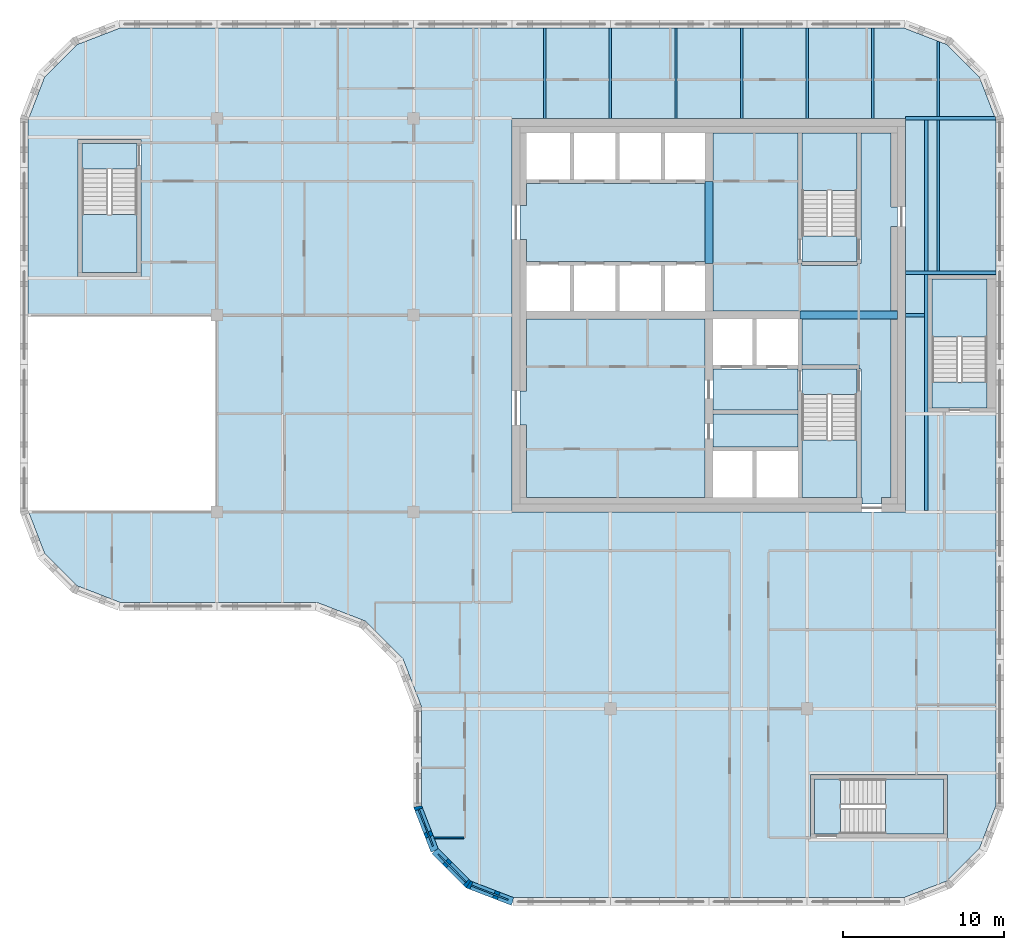
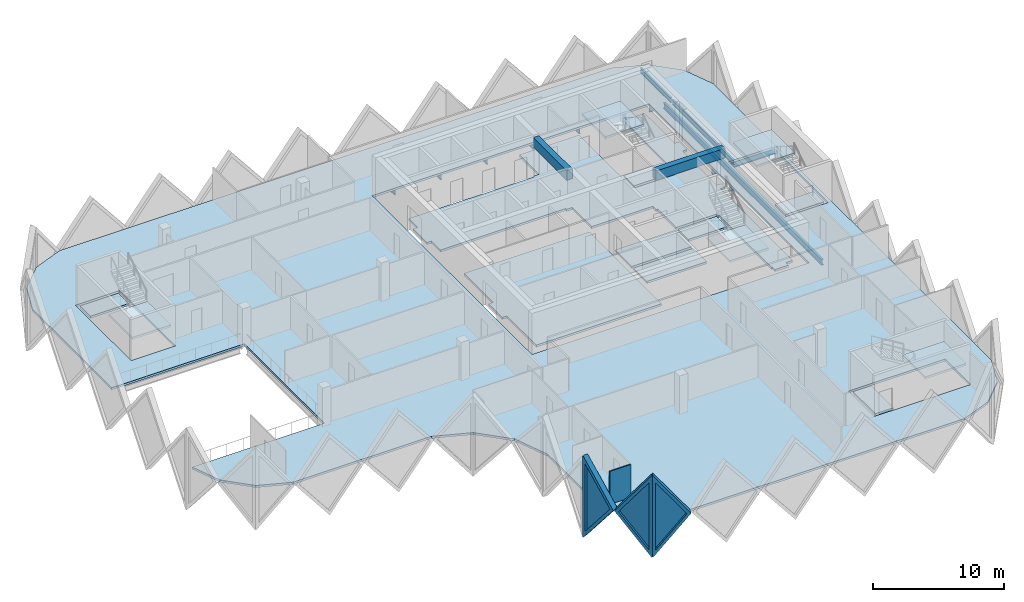
# One storey, part 2 of 12: 15 slabs, 14 beams, 4 walls, 3 plates, 3 openings, 5 elements without a shape of their own.
"""IFC4 building model written with IfcOpenShell, lengths in metres."""

from ifc_helpers import new_model, si_unit, direction, frame, frame_2d, origin, origin_2d, place, context, subcontext, project, spatial, polyline, rectangle, i_section, outline, extrude, faceted_brep, source, transform, mapped, material, layer, layer_set, material_profile, profile_set, type_object, element, fill, aggregate, save


model = new_model("IFC4")

# Units and contexts
model_context = context("Model", 3, precision=1e-05, world=origin(), true_north=direction((0.0, 1.0)))
body_context = subcontext(model_context, "Body", "Model", "MODEL_VIEW")
ifc_project = project(units=[si_unit("LENGTHUNIT", "METRE"), si_unit("AREAUNIT", "SQUARE_METRE"), si_unit("VOLUMEUNIT", "CUBIC_METRE"), si_unit("PLANEANGLEUNIT", "RADIAN"), si_unit("MASSUNIT", "GRAM", prefix="KILO")], contexts=[model_context])

# Site, building, storey
site_placement = place(None, origin())
site = spatial("IfcSite", under=ifc_project, at=site_placement, CompositionType="ELEMENT")
building_placement = place(site_placement, origin())
building = spatial("IfcBuilding", under=site, at=building_placement, Name="Tessera Gate Towers", CompositionType="ELEMENT")
storey_placement = place(building_placement, frame((0.0, 0.0, 216.89990234375)))
storey = spatial("IfcBuildingStorey", under=building, at=storey_placement, Name="L54", CompositionType="ELEMENT", Elevation=216.89990234375)

# Beams
ifc_material_1 = material(Name="Concrete C50/60", Category="concrete")
ifc_material_profile_1 = material_profile(ifc_material_1, rectangle(XDim=0.5, YDim=0.89990234375, at=origin_2d()), Name="RC 500x900")
ifc_profile_set_1 = profile_set([ifc_material_profile_1], Name="Concrete C50/60")
beam_type_1 = type_object("IfcBeamType", Name="COUPLING BEAM 500x900 C50/60", PredefinedType="BEAM", material=ifc_profile_set_1)
beam_1_placement = place(storey_placement, frame((48.35009765625, 36.60009765625, 3.150146484375), z_axis=(1.0, 0.0, 0.0), x_axis=(0.0, 1.0, 0.0)))
element("IfcBeam", 1, at=beam_1_placement, inside=storey, type_object=beam_type_1, Name="L54 coupling beam 1", PredefinedType="BEAM", context=body_context, shape_type="SweptSolid", body=[
    extrude(rectangle(XDim=0.5, YDim=0.89990234375, at=origin_2d()), origin(), (0.0, 0.0, 1.0), 6.0498046875),
])
beam_2_placement = place(storey_placement, frame((42.699951171875, 39.800048828125, 3.150146484375), z_axis=(0.0, 1.0, 0.0), x_axis=(-1.0, 0.0, 0.0)))
element("IfcBeam", 2, at=beam_2_placement, inside=storey, type_object=beam_type_1, Name="L54 coupling beam 2", PredefinedType="BEAM", context=body_context, shape_type="SweptSolid", body=[
    extrude(rectangle(XDim=0.5, YDim=0.89990234375, at=origin_2d()), origin(), (0.0, 0.0, 1.0), 5.099853515625),
])
ifc_material_2 = material(Name="Steel 350W", Category="steel")
ifc_material_profile_2 = material_profile(ifc_material_2, i_section(OverallWidth=0.208984375, OverallDepth=0.532958984375, WebThickness=0.01025390625, FlangeThickness=0.015625, at=origin_2d()), Name="W530x92")
ifc_profile_set_2 = profile_set([ifc_material_profile_2], Name="Steel 350W")
beam_type_2 = type_object("IfcBeamType", Name="FLOOR GIRDER W530x92", PredefinedType="BEAM", material=ifc_profile_set_2)
beam_3_placement = place(storey_placement, frame((54.89892578125, 36.60009765625, -0.46630859375), z_axis=(1.0, 0.0, 0.0), x_axis=(0.0, 1.0, 0.0)))
element("IfcBeam", 3, at=beam_3_placement, inside=storey, type_object=beam_type_2, Name="T1-GD-L54-5562", PredefinedType="BEAM", context=body_context, shape_type="SweptSolid", body=[
    extrude(i_section(OverallWidth=0.208984375, OverallDepth=0.532958984375, WebThickness=0.01025390625, FlangeThickness=0.015625, at=origin_2d()), origin(), (0.0, 0.0, 1.0), 1.176513671875),
])
beam_4_placement = place(storey_placement, frame((54.90087890625, 48.800048828125, -0.46630859375), z_axis=(1.0, 0.0, 0.0), x_axis=(0.0, 1.0, 0.0)))
element("IfcBeam", 4, at=beam_4_placement, inside=storey, type_object=beam_type_2, Name="T1-GD-L54-5566", PredefinedType="BEAM", context=body_context, shape_type="SweptSolid", body=[
    extrude(i_section(OverallWidth=0.208984375, OverallDepth=0.532958984375, WebThickness=0.01025390625, FlangeThickness=0.015625, at=origin_2d()), origin(), (0.0, 0.0, 1.0), 5.564208984375),
])
beam_5_placement = place(storey_placement, frame((54.89892578125, 39.219970703125, -0.46630859375), z_axis=(1.0, 0.0, 0.0), x_axis=(0.0, 1.0, 0.0)))
element("IfcBeam", 5, at=beam_5_placement, inside=storey, type_object=beam_type_2, Name="T1-GD-L54-5584", PredefinedType="BEAM", context=body_context, shape_type="SweptSolid", body=[
    extrude(i_section(OverallWidth=0.208984375, OverallDepth=0.532958984375, WebThickness=0.01025390625, FlangeThickness=0.015625, at=origin_2d()), origin(), (0.0, 0.0, 1.0), 5.60205078125),
])
beam_6_placement = place(storey_placement, frame((56.179931640625, 24.50439453125, -0.46630859375), z_axis=(0.0, 1.0, 0.0), x_axis=(-1.0, 0.0, 0.0)))
element("IfcBeam", 6, at=beam_6_placement, inside=storey, type_object=beam_type_2, Name="T1-GD-L54-5585", PredefinedType="BEAM", context=body_context, shape_type="SweptSolid", body=[
    extrude(i_section(OverallWidth=0.208984375, OverallDepth=0.532958984375, WebThickness=0.01025390625, FlangeThickness=0.015625, at=origin_2d()), origin(), (0.0, 0.0, 1.0), 24.191162109375),
])
ifc_material_3 = material(Name="Steel 350W", Category="steel")
ifc_material_profile_3 = material_profile(ifc_material_3, i_section(OverallWidth=0.153076171875, OverallDepth=0.455078125, WebThickness=0.008056640625, FlangeThickness=0.01318359375, at=origin_2d()), Name="W460x60")
ifc_profile_set_3 = profile_set([ifc_material_profile_3], Name="Steel 350W")
beam_type_3 = type_object("IfcBeamType", Name="FLOOR SECONDARY W460x60", PredefinedType="BEAM", material=ifc_profile_set_3)
for number, where, z_axis, x_axis, name in (
    (7, (32.533203125, 48.800048828125, -0.427490234375), (0.0, 1.0, 0.0), (-1.0, 0.0, 0.0), "T1-BM-L54-5607"),
    (8, (36.60009765625, 48.800048828125, -0.427490234375), (0.0, 1.0, 0.0), (-1.0, 0.0, 0.0), "T1-BM-L54-5608"),
    (9, (40.666748046875, 48.800048828125, -0.427490234375), (0.0, 1.0, 0.0), (-1.0, 0.0, 0.0), "T1-BM-L54-5611"),
    (10, (44.7333984375, 48.800048828125, -0.427490234375), (0.0, 1.0, 0.0), (-1.0, 0.0, 0.0), "T1-BM-L54-5614"),
    (11, (48.800048828125, 48.800048828125, -0.427490234375), (0.0, 1.0, 0.0), (-1.0, 0.0, 0.0), "T1-BM-L54-5615"),
    (12, (52.86669921875, 48.800048828125, -0.427490234375), (0.0, 1.0, 0.0), (-1.0, 0.0, 0.0), "T1-BM-L54-5619"),
):
    element("IfcBeam", number, at=place(storey_placement, frame(where, z_axis=z_axis, x_axis=x_axis)), inside=storey, type_object=beam_type_3, Name=name, PredefinedType="BEAM", context=body_context, shape_type="SweptSolid", body=[
        extrude(i_section(OverallWidth=0.153076171875, OverallDepth=0.455078125, WebThickness=0.008056640625, FlangeThickness=0.01318359375, at=origin_2d()), origin(), (0.0, 0.0, 1.0), 5.599853515625),
    ])
beam_7_placement = place(storey_placement, frame((56.933349609375, 39.324462890625, -0.427490234375), z_axis=(0.0, 1.0, 0.0), x_axis=(-1.0, 0.0, 0.0)))
element("IfcBeam", 13, at=beam_7_placement, inside=storey, type_object=beam_type_3, Name="T1-BM-L54-5624", PredefinedType="BEAM", context=body_context, shape_type="SweptSolid", body=[
    extrude(i_section(OverallWidth=0.153076171875, OverallDepth=0.455078125, WebThickness=0.008056640625, FlangeThickness=0.01318359375, at=origin_2d()), origin(), (0.0, 0.0, 1.0), 9.37109375),
])
beam_8_placement = place(storey_placement, frame((56.933349609375, 48.904541015625, -0.427490234375), z_axis=(0.0, 1.0, 0.0), x_axis=(-1.0, 0.0, 0.0)))
element("IfcBeam", 14, at=beam_8_placement, inside=storey, type_object=beam_type_3, Name="T1-BM-L54-5625", PredefinedType="BEAM", context=body_context, shape_type="SweptSolid", body=[
    extrude(i_section(OverallWidth=0.153076171875, OverallDepth=0.455078125, WebThickness=0.008056640625, FlangeThickness=0.01318359375, at=origin_2d()), origin(), (0.0, 0.0, 1.0), 4.675048828125),
])

# Slabs
ifc_material_4 = material(Name="Concrete C35/45", Category="concrete")
ifc_layer_1 = layer(ifc_material_4, 0.199951171875)
ifc_layer_set_1 = layer_set([ifc_layer_1], Name="COMPOSITE FLOOR 200")
slab_type_1 = type_object("IfcSlabType", Name="COMPOSITE FLOOR 200", PredefinedType="FLOOR", material=ifc_layer_set_1)
slab_1_placement = place(storey_placement, frame((0.0, 0.0, -0.199951171875)))
element("IfcSlab", 15, at=slab_1_placement, inside=storey, type_object=slab_type_1, Name="T1-L54", PredefinedType="FLOOR", context=body_context, shape_type="SweptSolid", body=[
    extrude(outline(polyline([(0.5, 36.60009765625), (12.199951171875, 36.60009765625), (12.199951171875, 24.39990234375), (0.535888671875, 24.39990234375), (1.526123046875, 21.8330078125), (3.533203125, 19.826171875), (6.193115234375, 18.800048828125), (18.39306640625, 18.800048828125), (21.42431640625, 17.630615234375), (23.730712890625, 15.32421875), (24.89990234375, 12.293212890625), (24.89990234375, 6.193115234375), (25.926025390625, 3.533203125), (27.93310546875, 1.526123046875), (30.593017578125, 0.5), (54.806884765625, 0.5), (57.466796875, 1.526123046875), (59.473876953125, 3.533203125), (60.5, 6.193115234375), (60.5, 48.706787109375), (59.473876953125, 51.366943359375), (57.466796875, 53.373779296875), (54.806884765625, 54.39990234375), (6.193115234375, 54.39990234375), (3.533203125, 53.373779296875), (1.526123046875, 51.366943359375), (0.5, 48.706787109375), (0.5, 36.60009765625)]), holes=[polyline([(3.60009765625, 39.0), (3.60009765625, 47.5), (7.5, 47.5), (7.5, 39.0), (3.60009765625, 39.0)]), polyline([(30.5, 24.39990234375), (30.5, 48.800048828125), (54.89990234375, 48.800048828125), (54.89990234375, 24.39990234375), (30.5, 24.39990234375)]), polyline([(49.0, 4.199951171875), (49.0, 8.10009765625), (57.5, 8.10009765625), (57.5, 4.199951171875), (49.0, 4.199951171875)]), polyline([(56.300048828125, 30.60009765625), (56.300048828125, 39.10009765625), (60.199951171875, 39.10009765625), (60.199951171875, 30.60009765625), (56.300048828125, 30.60009765625)])]), origin(), (0.0, 0.0, 1.0), 0.199951171875),
])
ifc_material_5 = material(Name="Concrete C35/45", Category="concrete")
ifc_layer_2 = layer(ifc_material_5, 0.199951171875)
ifc_layer_set_2 = layer_set([ifc_layer_2], Name="CORE FLOOR SLAB 200")
slab_type_2 = type_object("IfcSlabType", Name="CORE FLOOR SLAB 200", PredefinedType="FLOOR", material=ifc_layer_set_2)
slab_2_placement = place(storey_placement, frame((0.0, 0.0, -0.199951171875)))
element("IfcSlab", 16, at=slab_2_placement, inside=storey, type_object=slab_type_2, Name="L54 core floor slab", PredefinedType="FLOOR", context=body_context, shape_type="SweptSolid", body=[
    extrude(outline(polyline([(42.449951171875, 44.89990234375), (42.449951171875, 44.77490234375), (31.39990234375, 44.77490234375), (31.39990234375, 43.39990234375), (31.0, 43.39990234375), (31.0, 41.300048828125), (31.39990234375, 41.300048828125), (31.39990234375, 39.925048828125), (42.449951171875, 39.925048828125), (42.449951171875, 39.800048828125), (42.949951171875, 39.800048828125), (42.949951171875, 36.85009765625), (48.35009765625, 36.85009765625), (48.35009765625, 36.35009765625), (48.47509765625, 36.35009765625), (48.47509765625, 33.52490234375), (52.0, 33.52490234375), (52.0, 33.27490234375), (52.125, 33.27490234375), (52.125, 25.300048828125), (52.199951171875, 25.300048828125), (52.199951171875, 24.89990234375), (53.39990234375, 24.89990234375), (53.39990234375, 25.300048828125), (54.0, 25.300048828125), (54.0, 36.320068359375), (54.39990234375, 36.320068359375), (54.39990234375, 36.8798828125), (54.0, 36.8798828125), (54.0, 42.10009765625), (54.39990234375, 42.10009765625), (54.39990234375, 43.300048828125), (54.0, 43.300048828125), (54.0, 47.89990234375), (52.125, 47.89990234375), (52.125, 39.800048828125), (51.875, 39.800048828125), (51.875, 39.675048828125), (48.47509765625, 39.675048828125), (48.47509765625, 39.800048828125), (48.22509765625, 39.800048828125), (48.22509765625, 47.89990234375), (42.949951171875, 47.89990234375), (42.949951171875, 44.89990234375), (42.449951171875, 44.89990234375)])), origin(), (0.0, 0.0, 1.0), 0.199951171875),
])
slab_3_placement = place(storey_placement, frame((0.0, 0.0, -0.199951171875)))
element("IfcSlab", 17, at=slab_3_placement, inside=storey, type_object=slab_type_2, Name="L54 core floor slab", PredefinedType="FLOOR", context=body_context, shape_type="SweptSolid", body=[
    extrude(outline(polyline([(31.39990234375, 36.35009765625), (31.39990234375, 31.89990234375), (31.0, 31.89990234375), (31.0, 29.800048828125), (31.39990234375, 29.800048828125), (31.39990234375, 25.300048828125), (42.449951171875, 25.300048828125), (42.449951171875, 36.35009765625), (31.39990234375, 36.35009765625)])), origin(), (0.0, 0.0, 1.0), 0.199951171875),
])
slab_4_placement = place(storey_placement, frame((0.0, 0.0, -0.199951171875)))
element("IfcSlab", 18, at=slab_4_placement, inside=storey, type_object=slab_type_2, Name="L54 core floor slab", PredefinedType="FLOOR", context=body_context, shape_type="SweptSolid", body=[
    extrude(outline(polyline([(42.949951171875, 33.27490234375), (42.949951171875, 30.72509765625), (48.22509765625, 30.72509765625), (48.22509765625, 33.27490234375), (42.949951171875, 33.27490234375)])), origin(), (0.0, 0.0, 1.0), 0.199951171875),
])
slab_5_placement = place(storey_placement, frame((0.0, 0.0, -0.199951171875)))
element("IfcSlab", 19, at=slab_5_placement, inside=storey, type_object=slab_type_2, Name="L54 core floor slab", PredefinedType="FLOOR", context=body_context, shape_type="SweptSolid", body=[
    extrude(outline(polyline([(48.22509765625, 30.47509765625), (42.949951171875, 30.47509765625), (42.949951171875, 28.425048828125), (48.22509765625, 28.425048828125), (48.22509765625, 30.47509765625)])), origin(), (0.0, 0.0, 1.0), 0.199951171875),
])
slab_6_placement = place(storey_placement, frame((0.0, 0.0, -0.199951171875)))
element("IfcSlab", 20, at=slab_6_placement, inside=storey, type_object=slab_type_2, Name="L54 core floor slab", PredefinedType="FLOOR", context=body_context, shape_type="SweptSolid", body=[
    extrude(outline(polyline([(51.875, 31.675048828125), (51.875, 33.27490234375), (48.47509765625, 33.27490234375), (48.47509765625, 31.675048828125), (51.875, 31.675048828125)])), origin(), (0.0, 0.0, 1.0), 0.199951171875),
])
slab_7_placement = place(storey_placement, frame((0.0, 0.0, -0.199951171875)))
element("IfcSlab", 21, at=slab_7_placement, inside=storey, type_object=slab_type_2, Name="L54 core floor slab", PredefinedType="FLOOR", context=body_context, shape_type="SweptSolid", body=[
    extrude(outline(polyline([(48.47509765625, 41.52490234375), (48.47509765625, 39.925048828125), (51.875, 39.925048828125), (51.875, 41.52490234375), (48.47509765625, 41.52490234375)])), origin(), (0.0, 0.0, 1.0), 0.199951171875),
])
slab_8_placement = place(storey_placement, frame((0.0, 0.0, -0.199951171875)))
element("IfcSlab", 22, at=slab_8_placement, inside=storey, type_object=slab_type_2, Name="L54 ST3 floor landing", PredefinedType="FLOOR", context=body_context, shape_type="SweptSolid", body=[
    extrude(outline(polyline([(3.85009765625, 47.25), (3.85009765625, 45.64990234375), (7.25, 45.64990234375), (7.25, 47.25), (3.85009765625, 47.25)])), origin(), (0.0, 0.0, 1.0), 0.199951171875),
])
slab_9_placement = place(storey_placement, frame((0.0, 0.0, -0.199951171875)))
element("IfcSlab", 23, at=slab_9_placement, inside=storey, type_object=slab_type_2, Name="L54 ST4 floor landing", PredefinedType="FLOOR", context=body_context, shape_type="SweptSolid", body=[
    extrude(outline(polyline([(49.25, 4.449951171875), (50.85009765625, 4.449951171875), (50.85009765625, 7.85009765625), (49.25, 7.85009765625), (49.25, 4.449951171875)])), origin(), (0.0, 0.0, 1.0), 0.199951171875),
])
slab_10_placement = place(storey_placement, frame((0.0, 0.0, -0.199951171875)))
element("IfcSlab", 24, at=slab_10_placement, inside=storey, type_object=slab_type_2, Name="L54 ST5 floor landing", PredefinedType="FLOOR", context=body_context, shape_type="SweptSolid", body=[
    extrude(outline(polyline([(59.949951171875, 30.85009765625), (59.949951171875, 32.449951171875), (56.550048828125, 32.449951171875), (56.550048828125, 30.85009765625), (59.949951171875, 30.85009765625)])), origin(), (0.0, 0.0, 1.0), 0.199951171875),
])

# Stair, slab
ifc_material_6 = material(Name="Concrete C40/50", Category="concrete")
stair_type_1 = type_object("IfcStairType", Name="EXIT STAIR ST1 1600", PredefinedType="HALF_TURN_STAIR", material=ifc_material_6)
stair_1_placement = place(storey_placement, origin())
stair_1 = element("IfcStair", 25, at=stair_1_placement, inside=storey, type_object=stair_type_1, Name="L54 Protected Exit Stair ST1", PredefinedType="HALF_TURN_STAIR")
ifc_material_7 = material(Name="Concrete C40/50", Category="concrete")
ifc_layer_3 = layer(ifc_material_7, 0.199951171875)
ifc_layer_set_3 = layer_set([ifc_layer_3], Name="EXIT STAIR LANDING 200")
slab_type_3 = type_object("IfcSlabType", Name="EXIT STAIR LANDING 200", PredefinedType="LANDING", material=ifc_layer_set_3)
slab_11_placement = place(storey_placement, frame((0.0, 0.0, 1.7001953125)))
slab_11 = element("IfcSlab", 26, at=slab_11_placement, type_object=slab_type_3, Name="ST1 landing 1", PredefinedType="LANDING", context=body_context, shape_type="SweptSolid", body=[
    extrude(outline(polyline([(48.47509765625, 28.875), (48.47509765625, 25.300048828125), (51.875, 25.300048828125), (51.875, 28.875), (48.47509765625, 28.875)])), origin(), (0.0, 0.0, 1.0), 0.199951171875),
])
aggregate(stair_1, [slab_11])

ifc_material_8 = material(Name="Concrete C40/50", Category="concrete")
stair_type_2 = type_object("IfcStairType", Name="EXIT STAIR ST2 1600", PredefinedType="HALF_TURN_STAIR", material=ifc_material_8)
stair_2_placement = place(storey_placement, origin())
stair_2 = element("IfcStair", 27, at=stair_2_placement, inside=storey, type_object=stair_type_2, Name="L54 Protected Exit Stair ST2", PredefinedType="HALF_TURN_STAIR")
slab_12_placement = place(storey_placement, frame((0.0, 0.0, 1.7001953125)))
slab_12 = element("IfcSlab", 28, at=slab_12_placement, type_object=slab_type_3, Name="ST2 landing 1", PredefinedType="LANDING", context=body_context, shape_type="SweptSolid", body=[
    extrude(outline(polyline([(51.875, 44.324951171875), (51.875, 47.89990234375), (48.47509765625, 47.89990234375), (48.47509765625, 44.324951171875), (51.875, 44.324951171875)])), origin(), (0.0, 0.0, 1.0), 0.199951171875),
])
aggregate(stair_2, [slab_12])

ifc_material_9 = material(Name="Concrete C40/50", Category="concrete")
stair_type_3 = type_object("IfcStairType", Name="EXIT STAIR ST3 1600", PredefinedType="HALF_TURN_STAIR", material=ifc_material_9)
stair_3_placement = place(storey_placement, origin())
stair_3 = element("IfcStair", 29, at=stair_3_placement, inside=storey, type_object=stair_type_3, Name="L54 West Exit Stair ST3", PredefinedType="HALF_TURN_STAIR")
slab_13_placement = place(storey_placement, frame((0.0, 0.0, 1.7001953125)))
slab_13 = element("IfcSlab", 30, at=slab_13_placement, type_object=slab_type_3, Name="ST3 landing 1", PredefinedType="LANDING", context=body_context, shape_type="SweptSolid", body=[
    extrude(outline(polyline([(3.85009765625, 42.85009765625), (3.85009765625, 39.25), (7.25, 39.25), (7.25, 42.85009765625), (3.85009765625, 42.85009765625)])), origin(), (0.0, 0.0, 1.0), 0.199951171875),
])
aggregate(stair_3, [slab_13])

ifc_material_10 = material(Name="Concrete C40/50", Category="concrete")
stair_type_4 = type_object("IfcStairType", Name="EXIT STAIR ST4 1600", PredefinedType="HALF_TURN_STAIR", material=ifc_material_10)
stair_4_placement = place(storey_placement, origin())
stair_4 = element("IfcStair", 31, at=stair_4_placement, inside=storey, type_object=stair_type_4, Name="L54 South Exit Stair ST4", PredefinedType="HALF_TURN_STAIR")
slab_14_placement = place(storey_placement, frame((0.0, 0.0, 1.7001953125)))
slab_14 = element("IfcSlab", 32, at=slab_14_placement, type_object=slab_type_3, Name="ST4 landing 1", PredefinedType="LANDING", context=body_context, shape_type="SweptSolid", body=[
    extrude(outline(polyline([(53.64990234375, 4.449951171875), (57.25, 4.449951171875), (57.25, 7.85009765625), (53.64990234375, 7.85009765625), (53.64990234375, 4.449951171875)])), origin(), (0.0, 0.0, 1.0), 0.199951171875),
])
aggregate(stair_4, [slab_14])

ifc_material_11 = material(Name="Concrete C40/50", Category="concrete")
stair_type_5 = type_object("IfcStairType", Name="EXIT STAIR ST5 1600", PredefinedType="HALF_TURN_STAIR", material=ifc_material_11)
stair_5_placement = place(storey_placement, origin())
stair_5 = element("IfcStair", 33, at=stair_5_placement, inside=storey, type_object=stair_type_5, Name="L54 East Exit Stair ST5", PredefinedType="HALF_TURN_STAIR")
slab_15_placement = place(storey_placement, frame((0.0, 0.0, 1.7001953125)))
slab_15 = element("IfcSlab", 34, at=slab_15_placement, type_object=slab_type_3, Name="ST5 landing 1", PredefinedType="LANDING", context=body_context, shape_type="SweptSolid", body=[
    extrude(outline(polyline([(59.949951171875, 35.25), (59.949951171875, 38.85009765625), (56.550048828125, 38.85009765625), (56.550048828125, 35.25), (59.949951171875, 35.25)])), origin(), (0.0, 0.0, 1.0), 0.199951171875),
])
aggregate(stair_5, [slab_15])

# Wall
ifc_material_12 = material(Name="Glass", Category="glass")
ifc_layer_4 = layer(ifc_material_12, 0.10009765625)
ifc_layer_set_4 = layer_set([ifc_layer_4], Name="GLAZED PARTITION 100")
wall_type_1 = type_object("IfcWallType", Name="GLAZED PARTITION 100", PredefinedType="PARTITIONING", material=ifc_layer_set_4)
wall_1_placement = place(storey_placement, frame((25.668701171875, 4.199951171875, 0.0), z_axis=(0.0, 0.0, 1.0), x_axis=(1.0, 0.0, 0.0)))
element("IfcWall", 35, at=wall_1_placement, inside=storey, type_object=wall_type_1, Name="T1-L54-PW-003", PredefinedType="PARTITIONING", context=body_context, shape_type="SweptSolid", body=[
    extrude(rectangle(XDim=1.855224609375, YDim=0.10009765625, at=frame_2d((0.927734375, 0.0))), origin(), (0.0, 0.0, 1.0), 3.067138671875),
])

# Wall, opening, plate
ifc_material_13 = material(Name="Precast concrete C60/75 white", Category="concrete")
ifc_layer_5 = layer(ifc_material_13, 0.5)
ifc_layer_set_5 = layer_set([ifc_layer_5], Name="TS3 corner tessera")
wall_type_2 = type_object("IfcWallType", Name="TS3 corner tessera", PredefinedType="SOLIDWALL", material=ifc_layer_set_5)
shared_shape_1 = source(origin(), body_context, "Body", "Brep", [
    faceted_brep([(0.046630859375, -0.25, 0.0), (2.9970703125, -0.25, 3.7998046875), (0.046630859375, -0.25, 7.599853515625), (0.0, -0.25, 7.541015625), (0.0, -0.25, 0.058837890625), (0.09326171875, 0.25, 7.539794921875), (2.9443359375, 0.25, 3.867919921875), (2.9443359375, 0.25, 3.731689453125), (0.09326171875, 0.25, 0.06005859375), (2.9970703125, 0.00048828125, 3.7998046875), (0.046630859375, 0.0, 0.0), (0.046630859375, 0.0, 7.599853515625)], [[[0, 1, 2, 3, 4]], [[5, 6, 7, 8]], [[8, 7, 9, 1, 0, 10]], [[6, 5, 11, 2, 1, 9]], [[3, 2, 11]], [[10, 0, 4]], [[8, 10, 4, 3, 11, 5]], [[9, 7, 6]]]),
])
wall_2_placement = place(storey_placement, frame((24.63330078125, 6.18994140625, -3.7998046875), z_axis=(0.0, 0.0, 1.0), x_axis=(0.359901446078, -0.932990326376, 0.0)))
wall_2 = element("IfcWall", 36, at=wall_2_placement, inside=storey, type_object=wall_type_2, Name="Precast corner tessera T1 TS3-1270", PredefinedType="SOLIDWALL", context=body_context, shape_type="MappedRepresentation", body=[
    mapped(shared_shape_1, transform((0.0, 0.0, 0.0), scale=1.0)),
])
shared_shape_2 = source(origin(), body_context, "Body", "SweptSolid", [
    extrude(outline(polyline([(0.24658203125, 0.6650390625), (2.6806640625, 3.7998046875), (0.24658203125, 6.9345703125), (0.24658203125, 0.6650390625)])), frame((0.0, 0.260009765625, 0.0), z_axis=(0.0, -1.0, 0.0), x_axis=(1.0, 0.0, 0.0)), (0.0, 0.0, 1.0), 0.52001953125),
])
opening_1_placement = place(wall_2_placement, origin())
opening_1 = element("IfcOpeningElement", 37, at=opening_1_placement, cuts=wall_2, Name="Opening T1-PL2-1971", PredefinedType="OPENING", context=body_context, shape_type="MappedRepresentation", body=[
    mapped(shared_shape_2, transform((0.0, 0.0, 0.0), scale=1.0)),
])
ifc_material_14 = material(Name="Low-e laminated glass", Category="glass")
ifc_layer_6 = layer(ifc_material_14, 0.06005859375)
ifc_layer_set_6 = layer_set([ifc_layer_6], Name="PL2 rhombic pane")
plate_type = type_object("IfcPlateType", Name="PL2 rhombic pane", PredefinedType="SHEET", material=ifc_layer_set_6)
shared_shape_3 = source(origin(), body_context, "Body", "SweptSolid", [
    extrude(outline(polyline([(0.24658203125, 0.6650390625), (2.6806640625, 3.7998046875), (0.24658203125, 6.9345703125), (0.24658203125, 0.6650390625)])), frame((0.0, 0.030029296875, 0.0), z_axis=(0.0, -1.0, 0.0), x_axis=(1.0, 0.0, 0.0)), (0.0, 0.0, 1.0), 0.06005859375),
])
plate_1_placement = place(opening_1_placement, origin())
plate_1 = element("IfcPlate", 38, at=plate_1_placement, inside=storey, type_object=plate_type, Name="Glass pane T1 PL2-1971", PredefinedType="SHEET", context=body_context, shape_type="MappedRepresentation", body=[
    mapped(shared_shape_3, transform((0.0, 0.0, 0.0), scale=1.0)),
])
fill(opening_1, plate_1)

shared_shape_4 = source(origin(), body_context, "Body", "Brep", [
    faceted_brep([(2.944091796875, -0.25, 0.0), (2.9970703125, -0.25, 0.068115234375), (2.9970703125, -0.25, 7.53173828125), (2.944091796875, -0.25, 7.599853515625), (0.0, -0.25, 3.7998046875), (0.052978515625, 0.25, 3.8681640625), (2.89111328125, 0.25, 7.53173828125), (2.89111328125, 0.25, 0.068115234375), (0.052978515625, 0.25, 3.7314453125), (2.944091796875, 0.000244140625, 0.0), (2.944091796875, 0.000244140625, 7.599853515625), (0.0, 0.0, 3.7998046875)], [[[0, 1, 2, 3, 4]], [[5, 6, 7, 8]], [[1, 0, 9]], [[10, 3, 2]], [[6, 5, 11, 4, 3, 10]], [[8, 7, 9, 0, 4, 11]], [[8, 11, 5]], [[1, 9, 7, 6, 10, 2]]]),
])
wall_3_placement = place(storey_placement, frame((25.7119140625, 3.393798828125, -3.7998046875), z_axis=(0.0, 0.0, 1.0), x_axis=(0.707066050402, -0.707147509625, 0.0)))
wall_3 = element("IfcWall", 39, at=wall_3_placement, inside=storey, type_object=wall_type_2, Name="Precast corner tessera T1 TS3-1271", PredefinedType="SOLIDWALL", context=body_context, shape_type="MappedRepresentation", body=[
    mapped(shared_shape_4, transform((0.0, 0.0, 0.0), scale=1.0)),
])
shared_shape_5 = source(origin(), body_context, "Body", "SweptSolid", [
    extrude(outline(polyline([(2.744140625, 6.93359375), (0.316162109375, 3.7998046875), (2.744140625, 0.666259765625), (2.744140625, 6.93359375)])), frame((0.0, 0.260009765625, 0.0), z_axis=(0.0, -1.0, 0.0), x_axis=(1.0, 0.0, 0.0)), (0.0, 0.0, 1.0), 0.52001953125),
])
opening_2_placement = place(wall_3_placement, origin())
opening_2 = element("IfcOpeningElement", 40, at=opening_2_placement, cuts=wall_3, Name="Opening T1-PL2-1972", PredefinedType="OPENING", context=body_context, shape_type="MappedRepresentation", body=[
    mapped(shared_shape_5, transform((0.0, 0.0, 0.0), scale=1.0)),
])
shared_shape_6 = source(origin(), body_context, "Body", "SweptSolid", [
    extrude(outline(polyline([(2.744140625, 6.93359375), (0.316162109375, 3.7998046875), (2.744140625, 0.666259765625), (2.744140625, 6.93359375)])), frame((0.0, 0.030029296875, 0.0), z_axis=(0.0, -1.0, 0.0), x_axis=(1.0, 0.0, 0.0)), (0.0, 0.0, 1.0), 0.06005859375),
])
plate_2_placement = place(opening_2_placement, origin())
plate_2 = element("IfcPlate", 41, at=plate_2_placement, inside=storey, type_object=plate_type, Name="Glass pane T1 PL2-1972", PredefinedType="SHEET", context=body_context, shape_type="MappedRepresentation", body=[
    mapped(shared_shape_6, transform((0.0, 0.0, 0.0), scale=1.0)),
])
fill(opening_2, plate_2)

shared_shape_7 = source(origin(), body_context, "Body", "Brep", [
    faceted_brep([(0.052978515625, -0.25, 0.0), (3.00341796875, -0.25, 3.7998046875), (0.052978515625, -0.25, 7.599853515625), (0.0, -0.25, 7.531494140625), (0.0, -0.25, 0.068359375), (0.10595703125, 0.25, 7.53173828125), (2.95703125, 0.25, 3.859619140625), (2.95703125, 0.25, 3.739990234375), (0.10595703125, 0.25, 0.068115234375), (3.00341796875, 0.00048828125, 3.7998046875), (0.052978515625, 0.0, 0.0), (0.052978515625, 0.0, 7.599853515625)], [[[0, 1, 2, 3, 4]], [[5, 6, 7, 8]], [[8, 7, 9, 1, 0, 10]], [[6, 5, 11, 2, 1, 9]], [[3, 2, 11]], [[10, 0, 4]], [[8, 10, 4, 3, 11, 5]], [[9, 7, 6]]]),
])
wall_4_placement = place(storey_placement, frame((27.744384765625, 1.3310546875, -3.7998046875), z_axis=(0.0, 0.0, 1.0), x_axis=(0.932970071518, -0.359953949349, 0.0)))
wall_4 = element("IfcWall", 42, at=wall_4_placement, inside=storey, type_object=wall_type_2, Name="Precast corner tessera T1 TS3-1272", PredefinedType="SOLIDWALL", context=body_context, shape_type="MappedRepresentation", body=[
    mapped(shared_shape_7, transform((0.0, 0.0, 0.0), scale=1.0)),
])
shared_shape_8 = source(origin(), body_context, "Body", "SweptSolid", [
    extrude(outline(polyline([(0.2529296875, 0.6650390625), (2.68701171875, 3.7998046875), (0.2529296875, 6.9345703125), (0.2529296875, 0.6650390625)])), frame((0.0, 0.260009765625, 0.0), z_axis=(0.0, -1.0, 0.0), x_axis=(1.0, 0.0, 0.0)), (0.0, 0.0, 1.0), 0.52001953125),
])
opening_3_placement = place(wall_4_placement, origin())
opening_3 = element("IfcOpeningElement", 43, at=opening_3_placement, cuts=wall_4, Name="Opening T1-PL2-1973", PredefinedType="OPENING", context=body_context, shape_type="MappedRepresentation", body=[
    mapped(shared_shape_8, transform((0.0, 0.0, 0.0), scale=1.0)),
])
shared_shape_9 = source(origin(), body_context, "Body", "SweptSolid", [
    extrude(outline(polyline([(0.2529296875, 0.6650390625), (2.68701171875, 3.7998046875), (0.2529296875, 6.9345703125), (0.2529296875, 0.6650390625)])), frame((0.0, 0.030029296875, 0.0), z_axis=(0.0, -1.0, 0.0), x_axis=(1.0, 0.0, 0.0)), (0.0, 0.0, 1.0), 0.06005859375),
])
plate_3_placement = place(opening_3_placement, origin())
plate_3 = element("IfcPlate", 44, at=plate_3_placement, inside=storey, type_object=plate_type, Name="Glass pane T1 PL2-1973", PredefinedType="SHEET", context=body_context, shape_type="MappedRepresentation", body=[
    mapped(shared_shape_9, transform((0.0, 0.0, 0.0), scale=1.0)),
])
fill(opening_3, plate_3)

save(model, "model.ifc")
